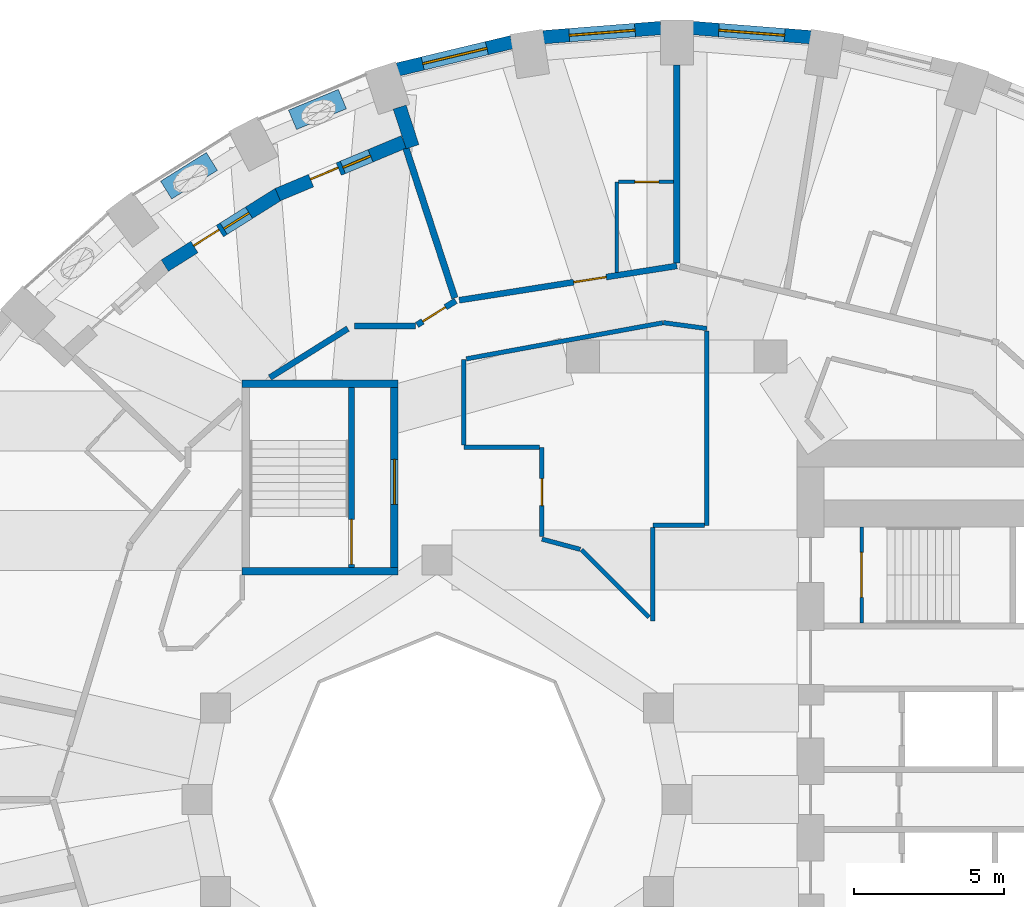
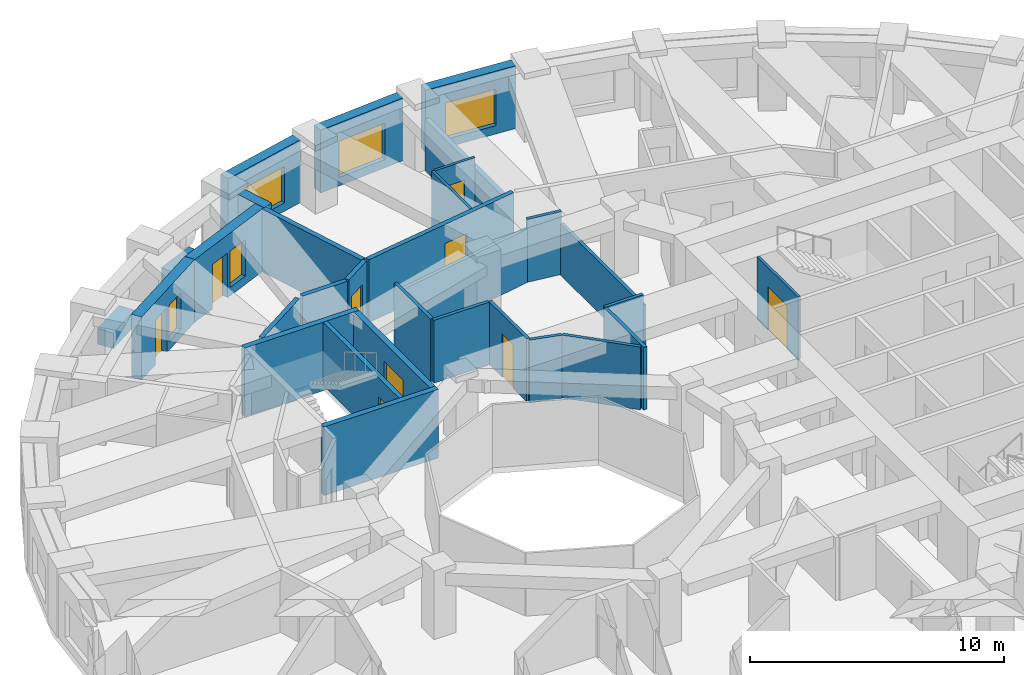
# One storey, part 8 of 13: 31 walls, 9 doors, 5 windows, 14 openings.
"""IFC4 building model written with IfcOpenShell, lengths in metres."""

import ifcopenshell
import ifcopenshell.guid

model = None  # the IFC model being written
_history = None  # IfcOwnerHistory: only IFC2X3 demands one
_inside = {}  # id of a spatial element -> (the spatial element, [elements in it])
_under = {}  # id of a project, library or spatial element -> (it, [spatial elements below it])
_declared = {}  # id of a project -> (the project, [libraries it declares])
_typed = {}  # id of a type object -> (the type object, [elements of that type])
_made_of = {}  # id of a material, layer set ... -> (it, [elements and type objects made of it])


def new_model(schema):
    """Start an empty IFC model of exactly this schema.

    Asked for "IFC4X3", IfcOpenShell would pick the latest addendum, in which some entities
    have other attributes; the version numbers below select the first issue.
    IFC2X3 requires an IfcOwnerHistory on every rooted entity: one is made here for all.
    """
    global model, _history
    if schema == "IFC4X3":
        model = ifcopenshell.file(schema_version=(4, 3, 0, 0))
    else:
        model = ifcopenshell.file(schema=schema)
    _inside.clear()
    _under.clear()
    _declared.clear()
    _typed.clear()
    _made_of.clear()
    _history = None
    if model.schema == "IFC2X3":
        org = make("IfcOrganization", Name="unknown")
        user = make(
            "IfcPersonAndOrganization",
            ThePerson=make("IfcPerson", FamilyName="unknown"),
            TheOrganization=org,
        )
        app = make(
            "IfcApplication",
            ApplicationDeveloper=org,
            Version="unknown",
            ApplicationFullName="unknown",
            ApplicationIdentifier="unknown",
        )
        _history = make(
            "IfcOwnerHistory",
            OwningUser=user,
            OwningApplication=app,
            ChangeAction="ADDED",
            CreationDate=0,
        )
    return model


def make(cls, **values):
    """One entity of the class cls with the attributes given. An attribute that is None is left unset."""
    return model.create_entity(
        cls, **{name: value for name, value in values.items() if value is not None}
    )


def rooted(cls, **values):
    """An entity with a GlobalId (a new one), such as an element, a storey or a relation."""
    return make(cls, GlobalId=ifcopenshell.guid.new(), OwnerHistory=_history, **values)


def si_unit(unit_type, name, prefix=None):
    """IfcSIUnit, for example si_unit("LENGTHUNIT", "METRE", prefix="MILLI")."""
    return make("IfcSIUnit", UnitType=unit_type, Prefix=prefix, Name=name)


def assignment(units):
    """IfcUnitAssignment: the units of a project."""
    return None if units is None else make("IfcUnitAssignment", Units=units)


def point(xyz):
    """IfcCartesianPoint."""
    return None if xyz is None else make("IfcCartesianPoint", Coordinates=xyz)


def direction(xyz):
    """IfcDirection."""
    return None if xyz is None else make("IfcDirection", DirectionRatios=xyz)


def frame(location, z_axis=None, x_axis=None):
    """IfcAxis2Placement3D, a coordinate frame: its origin and axes. An axis left out is left unset."""
    return make(
        "IfcAxis2Placement3D",
        Location=point(location),
        Axis=direction(z_axis),
        RefDirection=direction(x_axis),
    )


def frame_2d(location, x_axis=None):
    """IfcAxis2Placement2D, a coordinate frame in the plane: its origin and x axis."""
    return make(
        "IfcAxis2Placement2D", Location=point(location), RefDirection=direction(x_axis)
    )


def origin():
    """The frame at (0, 0, 0) with its axes left unset."""
    return frame((0.0, 0.0, 0.0))


def place(relative_to, where):
    """IfcLocalPlacement: puts the frame where relative to a parent placement (None: the world)."""
    return make(
        "IfcLocalPlacement", PlacementRelTo=relative_to, RelativePlacement=where
    )


def context(
    kind, dimensions, precision=None, world=None, true_north=None, identifier=None
):
    """IfcGeometricRepresentationContext, for example the 3D "Model" context."""
    return make(
        "IfcGeometricRepresentationContext",
        ContextIdentifier=identifier,
        ContextType=kind,
        CoordinateSpaceDimension=dimensions,
        Precision=precision,
        WorldCoordinateSystem=world,
        TrueNorth=true_north,
    )


def subcontext(parent, identifier, kind, view, scale=None):
    """IfcGeometricRepresentationSubContext, for example "Body" below "Model"."""
    return make(
        "IfcGeometricRepresentationSubContext",
        ContextIdentifier=identifier,
        ContextType=kind,
        ParentContext=parent,
        TargetScale=scale,
        TargetView=view,
    )


def project(units=None, contexts=None):
    """IfcProject with its units and contexts."""
    return rooted(
        "IfcProject",
        Name="project",
        RepresentationContexts=contexts,
        UnitsInContext=assignment(units),
    )


def spatial(cls, under=None, at=None, **own):
    """A site, building, storey or space (cls), placed at a placement, below another one or the project."""
    s = rooted(cls, ObjectPlacement=at, **own)
    if under is not None:
        _under.setdefault(under.id(), (under, []))[1].append(s)
    return s


def profile(cls, at=None, kind="AREA", **sizes):
    """A parametric profile (cls). Its sizes go by their IFC names, for example OverallWidth=200.0."""
    return make(cls, ProfileType=kind, Position=at, **sizes)


def rectangle(**sizes):
    """IfcRectangleProfileDef."""
    return profile("IfcRectangleProfileDef", **sizes)


def extrude(swept, where, along, depth):
    """IfcExtrudedAreaSolid: the profile swept, set in the frame where, extruded along a direction by depth."""
    return make(
        "IfcExtrudedAreaSolid",
        SweptArea=swept,
        Position=where,
        ExtrudedDirection=direction(along),
        Depth=depth,
    )


def shape(context_of_items, identifier, shape_type, items):
    """IfcShapeRepresentation: the items that make up one representation, for example the "Body"."""
    return make(
        "IfcShapeRepresentation",
        ContextOfItems=context_of_items,
        RepresentationIdentifier=identifier,
        RepresentationType=shape_type,
        Items=items,
    )


def material(Name=None, Category=None):
    """IfcMaterial."""
    return make("IfcMaterial", Name=Name, Category=Category)


def layer(
    of_material, thickness, ventilated=None, Name=None, Category=None, Priority=None
):
    """IfcMaterialLayer: one layer of a wall or slab, of a material (None: an air gap)."""
    return make(
        "IfcMaterialLayer",
        Material=of_material,
        LayerThickness=thickness,
        IsVentilated=ventilated,
        Name=Name,
        Category=Category,
        Priority=Priority,
    )


def layer_set(layers, Name=None):
    """IfcMaterialLayerSet."""
    return make("IfcMaterialLayerSet", MaterialLayers=layers, LayerSetName=Name)


def constituent(of_material, Name=None, Category=None, fraction=None):
    """IfcMaterialConstituent: one of the materials an element consists of."""
    return make(
        "IfcMaterialConstituent",
        Name=Name,
        Material=of_material,
        Fraction=fraction,
        Category=Category,
    )


def constituent_set(constituents=None, Name=None):
    """IfcMaterialConstituentSet."""
    return make(
        "IfcMaterialConstituentSet", Name=Name, MaterialConstituents=constituents
    )


def made_of(thing, what):
    """Note that an element or type object is made of a material, layer set ...; save() writes the relation."""
    if what is not None:
        _made_of.setdefault(what.id(), (what, []))[1].append(thing)
    return thing


def type_object(cls, material=None, **own):
    """A type object (cls), such as IfcWallType, which elements share."""
    return made_of(rooted(cls, **own), material)


def element(
    cls,
    number,
    at=None,
    inside=None,
    cuts=None,
    type_object=None,
    material=None,
    context=None,
    identifier="Body",
    shape_type=None,
    held_by="IfcProductDefinitionShape",
    body=None,
    shapes=None,
    **own,
):
    """One element of the class cls, such as IfcWall. Its Tag is "e" and its number.

    at: its placement. inside: the storey or other place that contains it. cuts: it is an
    opening in that element (IfcRelVoidsElement). A single representation is given by context,
    identifier, shape_type and body (its items); several are given by shapes. held_by: the class
    of the entity that holds the representations. save() writes the other relations.
    """
    e = rooted(cls, Tag="e%d" % number, ObjectPlacement=at, **own)
    if body is not None:
        shapes = [shape(context, identifier, shape_type, body)]
    if shapes is not None:
        e.Representation = make(held_by, Representations=shapes)
    if inside is not None:
        _inside.setdefault(inside.id(), (inside, []))[1].append(e)
    if cuts is not None:
        rooted(
            "IfcRelVoidsElement", RelatingBuildingElement=cuts, RelatedOpeningElement=e
        )
    if type_object is not None:
        _typed.setdefault(type_object.id(), (type_object, []))[1].append(e)
    return made_of(e, material)


def fill(opening, filler):
    """IfcRelFillsElement: the door or window that sits in an opening."""
    return rooted(
        "IfcRelFillsElement",
        RelatingOpeningElement=opening,
        RelatedBuildingElement=filler,
    )


def aggregate(whole, parts):
    """IfcRelAggregates: a whole, such as a stair, and the parts it consists of."""
    return rooted("IfcRelAggregates", RelatingObject=whole, RelatedObjects=parts)


def save(model, path):
    """Write the relations noted so far, then the file.

    IfcRelAggregates (storeys below a building ...), IfcRelContainedInSpatialStructure (elements
    in a storey), IfcRelDefinesByType, IfcRelAssociatesMaterial and IfcRelDeclares: one each for
    every whole, place, type object, material and project.
    """
    for whole, parts in _under.values():
        aggregate(whole, parts)
    for where, things in _inside.values():
        rooted(
            "IfcRelContainedInSpatialStructure",
            RelatedElements=things,
            RelatingStructure=where,
        )
    for kind, things in _typed.values():
        rooted("IfcRelDefinesByType", RelatedObjects=things, RelatingType=kind)
    for what, things in _made_of.values():
        rooted("IfcRelAssociatesMaterial", RelatedObjects=things, RelatingMaterial=what)
    for by, libraries in _declared.values():
        rooted("IfcRelDeclares", RelatingContext=by, RelatedDefinitions=libraries)
    model.write(path)


model = new_model("IFC4")

# Units and contexts
model_context = context("Model", 3, precision=1e-05, world=origin(), true_north=direction((0.0, 1.0)))
body_context = subcontext(model_context, "Body", "Model", "MODEL_VIEW")
ifc_project = project(units=[si_unit("LENGTHUNIT", "METRE"), si_unit("AREAUNIT", "SQUARE_METRE"), si_unit("VOLUMEUNIT", "CUBIC_METRE"), si_unit("PLANEANGLEUNIT", "RADIAN"), si_unit("MASSUNIT", "GRAM", prefix="KILO")], contexts=[model_context])

# Site, building, storey
site_placement = place(None, origin())
site = spatial("IfcSite", under=ifc_project, at=site_placement, CompositionType="ELEMENT")
building_placement = place(site_placement, origin())
building = spatial("IfcBuilding", under=site, at=building_placement, Name="Taillehof Tower", CompositionType="ELEMENT")
storey_placement = place(building_placement, frame((0.0, 0.0, 44.800048828125)))
storey = spatial("IfcBuildingStorey", under=building, at=storey_placement, Name="L11", CompositionType="ELEMENT", Elevation=44.800048828125)

# Wall, opening, window
ifc_material_1 = material(Name="Brick masonry", Category="masonry")
ifc_layer_1 = layer(ifc_material_1, 0.449951171875)
ifc_layer_set_1 = layer_set([ifc_layer_1], Name="Brick infill wall 450")
wall_type_1 = type_object("IfcWallType", Name="Brick infill wall 450", PredefinedType="SOLIDWALL", material=ifc_layer_set_1)
wall_1_placement = place(storey_placement, frame((4.457275390625, 25.42578125, 0.0), z_axis=(0.0, 0.0, 1.0), x_axis=(-0.996955972145, 0.077966592873, 0.0)))
wall_1 = element("IfcWall", 1, at=wall_1_placement, inside=storey, type_object=wall_type_1, Name="Brick wall L11 bay 9", PredefinedType="SOLIDWALL", context=body_context, shape_type="SweptSolid", body=[
    extrude(rectangle(XDim=3.939208984375, YDim=0.449951171875, at=frame_2d((1.9697265625, 0.0))), origin(), (0.0, 0.0, 1.0), 3.02001953125),
])
opening_1_placement = place(wall_1_placement, frame((0.86962890625, 0.0, 0.39990234375)))
opening_1 = element("IfcOpeningElement", 2, at=opening_1_placement, cuts=wall_1, Name="Opening W1", PredefinedType="OPENING", context=body_context, shape_type="SweptSolid", body=[
    extrude(rectangle(XDim=2.199951171875, YDim=1.75, at=frame_2d((1.10009765625, 0.875))), frame((0.0, 0.23486328125, 0.0), z_axis=(0.0, -1.0, 0.0), x_axis=(1.0, 0.0, 0.0)), (0.0, 0.0, 1.0), 0.469970703125),
])
ifc_material_2 = material(Name="Aluminium window frame with clear double glazing", Category="aluminium")
window_type_1 = type_object("IfcWindowType", Name="Deep-set window 2200x1750", PartitioningType="SINGLE_PANEL", PredefinedType="WINDOW", material=ifc_material_2)
window_1_placement = place(opening_1_placement, origin())
window_1 = element("IfcWindow", 3, at=window_1_placement, inside=storey, type_object=window_type_1, Name="W1", OverallHeight=1.75, OverallWidth=2.199951171875, PartitioningType="SINGLE_PANEL", PredefinedType="WINDOW", context=body_context, shape_type="SweptSolid", body=[
    extrude(rectangle(XDim=2.199951171875, YDim=1.75, at=frame_2d((1.10009765625, 0.875))), frame((0.0, 0.034912109375, 0.0), z_axis=(0.0, -1.0, 0.0), x_axis=(1.0, 0.0, 0.0)), (0.0, 0.0, 1.0), 0.06005859375),
])
fill(opening_1, window_1)

wall_2_placement = place(storey_placement, frame((-0.530029296875, 25.73291015625, 0.0), z_axis=(0.0, 0.0, 1.0), x_axis=(-0.996955972145, -0.077966592873, 0.0)))
wall_2 = element("IfcWall", 4, at=wall_2_placement, inside=storey, type_object=wall_type_1, Name="Brick wall L11 bay 10", PredefinedType="SOLIDWALL", context=body_context, shape_type="SweptSolid", body=[
    extrude(rectangle(XDim=3.939208984375, YDim=0.449951171875, at=frame_2d((1.9697265625, 0.0))), origin(), (0.0, 0.0, 1.0), 3.02001953125),
])
opening_2_placement = place(wall_2_placement, frame((0.86962890625, 0.0, 0.39990234375)))
opening_2 = element("IfcOpeningElement", 5, at=opening_2_placement, cuts=wall_2, Name="Opening W1", PredefinedType="OPENING", context=body_context, shape_type="SweptSolid", body=[
    extrude(rectangle(XDim=2.199951171875, YDim=1.75, at=frame_2d((1.10009765625, 0.875))), frame((0.0, 0.23486328125, 0.0), z_axis=(0.0, -1.0, 0.0), x_axis=(1.0, 0.0, 0.0)), (0.0, 0.0, 1.0), 0.469970703125),
])
window_2_placement = place(opening_2_placement, origin())
window_2 = element("IfcWindow", 6, at=window_2_placement, inside=storey, type_object=window_type_1, Name="W1", OverallHeight=1.75, OverallWidth=2.199951171875, PartitioningType="SINGLE_PANEL", PredefinedType="WINDOW", context=body_context, shape_type="SweptSolid", body=[
    extrude(rectangle(XDim=2.199951171875, YDim=1.75, at=frame_2d((1.10009765625, 0.875))), frame((0.0, 0.034912109375, 0.0), z_axis=(0.0, -1.0, 0.0), x_axis=(1.0, 0.0, 0.0)), (0.0, 0.0, 1.0), 0.06005859375),
])
fill(opening_2, window_2)

wall_3_placement = place(storey_placement, frame((-5.50439453125, 25.260498046875, 0.0), z_axis=(0.0, 0.0, 1.0), x_axis=(-0.972496561493, -0.232917233979, 0.0)))
wall_3 = element("IfcWall", 7, at=wall_3_placement, inside=storey, type_object=wall_type_1, Name="Brick wall L11 bay 11", PredefinedType="SOLIDWALL", context=body_context, shape_type="SweptSolid", body=[
    extrude(rectangle(XDim=3.910888671875, YDim=0.449951171875, at=frame_2d((1.95556640625, 0.0))), origin(), (0.0, 0.0, 1.0), 3.02001953125),
])
opening_3_placement = place(wall_3_placement, frame((0.855224609375, 0.0, 0.39990234375)))
opening_3 = element("IfcOpeningElement", 8, at=opening_3_placement, cuts=wall_3, Name="Opening W1", PredefinedType="OPENING", context=body_context, shape_type="SweptSolid", body=[
    extrude(rectangle(XDim=2.199951171875, YDim=1.75, at=frame_2d((1.10009765625, 0.875))), frame((0.0, 0.23486328125, 0.0), z_axis=(0.0, -1.0, 0.0), x_axis=(1.0, 0.0, 0.0)), (0.0, 0.0, 1.0), 0.469970703125),
])
window_3_placement = place(opening_3_placement, origin())
window_3 = element("IfcWindow", 9, at=window_3_placement, inside=storey, type_object=window_type_1, Name="W1", OverallHeight=1.75, OverallWidth=2.199951171875, PartitioningType="SINGLE_PANEL", PredefinedType="WINDOW", context=body_context, shape_type="SweptSolid", body=[
    extrude(rectangle(XDim=2.199951171875, YDim=1.75, at=frame_2d((1.10009765625, 0.875))), frame((0.0, 0.034912109375, 0.0), z_axis=(0.0, -1.0, 0.0), x_axis=(1.0, 0.0, 0.0)), (0.0, 0.0, 1.0), 0.06005859375),
])
fill(opening_3, window_3)

# Wall
wall_4_placement = place(storey_placement, frame((-9.24560546875, 23.09521484375, 0.0), z_axis=(0.0, 0.0, 1.0), x_axis=(0.310110311429, -0.950700581017, 0.0)))
element("IfcWall", 10, at=wall_4_placement, inside=storey, type_object=wall_type_1, Name="Brick reveal L11 pocket 3", PredefinedType="SOLIDWALL", context=body_context, shape_type="SweptSolid", body=[
    extrude(rectangle(XDim=1.390380859375, YDim=0.449951171875, at=frame_2d((0.6953125, 0.0))), origin(), (0.0, 0.0, 1.0), 3.02001953125),
])

# Wall, openings, door, window
wall_5_placement = place(storey_placement, frame((-9.10400390625, 21.935791015625, 0.0), z_axis=(0.0, 0.0, 1.0), x_axis=(-0.922645368502, -0.385649483317, 0.0)))
wall_5 = element("IfcWall", 11, at=wall_5_placement, inside=storey, type_object=wall_type_1, Name="Brick wall L11 pocket bay 12", PredefinedType="SOLIDWALL", context=body_context, shape_type="SweptSolid", body=[
    extrude(rectangle(XDim=4.55859375, YDim=0.449951171875, at=frame_2d((2.279296875, 0.0))), origin(), (0.0, 0.0, 1.0), 3.02001953125),
])
opening_4_placement = place(wall_5_placement, frame((1.204345703125, 0.0, 0.39990234375)))
opening_4 = element("IfcOpeningElement", 12, at=opening_4_placement, cuts=wall_5, Name="Opening W5", PredefinedType="OPENING", context=body_context, shape_type="SweptSolid", body=[
    extrude(rectangle(XDim=1.0, YDim=1.75, at=frame_2d((0.5, 0.875))), frame((0.0, 0.23486328125, 0.0), z_axis=(0.0, -1.0, 0.0), x_axis=(1.0, 0.0, 0.0)), (0.0, 0.0, 1.0), 0.469970703125),
])
opening_5_placement = place(wall_5_placement, frame((2.354248046875, 0.0, 0.0)))
opening_5 = element("IfcOpeningElement", 13, at=opening_5_placement, cuts=wall_5, Name="Opening D1194", PredefinedType="OPENING", context=body_context, shape_type="SweptSolid", body=[
    extrude(rectangle(XDim=1.0, YDim=2.14990234375, at=frame_2d((0.5, 1.074951171875))), frame((0.0, 0.23486328125, 0.0), z_axis=(0.0, -1.0, 0.0), x_axis=(1.0, 0.0, 0.0)), (0.0, 0.0, 1.0), 0.469970703125),
])
ifc_material_3 = material(Name="Aluminium door frame with clear double glazing", Category="aluminium")
door_type_1 = type_object("IfcDoorType", Name="Balcony door 1000x2150", OperationType="SINGLE_SWING_RIGHT", PredefinedType="DOOR", material=ifc_material_3)
door_1_placement = place(opening_5_placement, frame((1.0, 0.0, 0.0), z_axis=(0.0, 0.0, 1.0), x_axis=(-1.0, 0.0, 0.0)))
door_1 = element("IfcDoor", 14, at=door_1_placement, inside=storey, type_object=door_type_1, Name="Balcony door L11 bay 12", OperationType="SINGLE_SWING_RIGHT", OverallHeight=2.14990234375, OverallWidth=1.0, PredefinedType="DOOR", context=body_context, shape_type="SweptSolid", body=[
    extrude(rectangle(XDim=1.0, YDim=2.14990234375, at=frame_2d((0.5, 1.074951171875))), frame((0.0, 0.0751953125, 0.0), z_axis=(0.0, -1.0, 0.0), x_axis=(1.0, 0.0, 0.0)), (0.0, 0.0, 1.0), 0.050048828125),
])
fill(opening_5, door_1)
ifc_material_4 = material(Name="Aluminium window frame with clear double glazing", Category="aluminium")
window_type_2 = type_object("IfcWindowType", Name="Fixed window 1000x1750", PartitioningType="SINGLE_PANEL", PredefinedType="WINDOW", material=ifc_material_4)
window_4_placement = place(opening_4_placement, origin())
window_4 = element("IfcWindow", 15, at=window_4_placement, inside=storey, type_object=window_type_2, Name="W5", OverallHeight=1.75, OverallWidth=1.0, PartitioningType="SINGLE_PANEL", PredefinedType="WINDOW", context=body_context, shape_type="SweptSolid", body=[
    extrude(rectangle(XDim=1.0, YDim=1.75, at=frame_2d((0.5, 0.875))), frame((0.0, 0.034912109375, 0.0), z_axis=(0.0, -1.0, 0.0), x_axis=(1.0, 0.0, 0.0)), (0.0, 0.0, 1.0), 0.06005859375),
])
fill(opening_4, window_4)

wall_6_placement = place(storey_placement, frame((-13.277099609375, 20.194580078125, 0.0), z_axis=(0.0, 0.0, 1.0), x_axis=(-0.846976005863, -0.531631117874, 0.0)))
wall_6 = element("IfcWall", 16, at=wall_6_placement, inside=storey, type_object=wall_type_1, Name="Brick wall L11 pocket bay 13", PredefinedType="SOLIDWALL", context=body_context, shape_type="SweptSolid", body=[
    extrude(rectangle(XDim=4.488037109375, YDim=0.449951171875, at=frame_2d((2.244140625, 0.0))), origin(), (0.0, 0.0, 1.0), 3.02001953125),
])
opening_6_placement = place(wall_6_placement, frame((1.1689453125, 0.0, 0.39990234375)))
opening_6 = element("IfcOpeningElement", 17, at=opening_6_placement, cuts=wall_6, Name="Opening W5", PredefinedType="OPENING", context=body_context, shape_type="SweptSolid", body=[
    extrude(rectangle(XDim=1.0, YDim=1.75, at=frame_2d((0.5, 0.875))), frame((0.0, 0.23486328125, 0.0), z_axis=(0.0, -1.0, 0.0), x_axis=(1.0, 0.0, 0.0)), (0.0, 0.0, 1.0), 0.469970703125),
])
opening_7_placement = place(wall_6_placement, frame((2.319091796875, 0.0, 0.0)))
opening_7 = element("IfcOpeningElement", 18, at=opening_7_placement, cuts=wall_6, Name="Opening D1195", PredefinedType="OPENING", context=body_context, shape_type="SweptSolid", body=[
    extrude(rectangle(XDim=1.0, YDim=2.14990234375, at=frame_2d((0.5, 1.074951171875))), frame((0.0, 0.23486328125, 0.0), z_axis=(0.0, -1.0, 0.0), x_axis=(1.0, 0.0, 0.0)), (0.0, 0.0, 1.0), 0.469970703125),
])
door_2_placement = place(opening_7_placement, frame((1.0, 0.0, 0.0), z_axis=(0.0, 0.0, 1.0), x_axis=(-1.0, 0.0, 0.0)))
door_2 = element("IfcDoor", 19, at=door_2_placement, inside=storey, type_object=door_type_1, Name="Balcony door L11 bay 13", OperationType="SINGLE_SWING_LEFT", OverallHeight=2.14990234375, OverallWidth=1.0, PredefinedType="DOOR", context=body_context, shape_type="SweptSolid", body=[
    extrude(rectangle(XDim=1.0, YDim=2.14990234375, at=frame_2d((0.5, 1.074951171875))), frame((0.0, 0.0751953125, 0.0), z_axis=(0.0, -1.0, 0.0), x_axis=(1.0, 0.0, 0.0)), (0.0, 0.0, 1.0), 0.050048828125),
])
fill(opening_7, door_2)
window_5_placement = place(opening_6_placement, origin())
window_5 = element("IfcWindow", 20, at=window_5_placement, inside=storey, type_object=window_type_2, Name="W5", OverallHeight=1.75, OverallWidth=1.0, PartitioningType="SINGLE_PANEL", PredefinedType="WINDOW", context=body_context, shape_type="SweptSolid", body=[
    extrude(rectangle(XDim=1.0, YDim=1.75, at=frame_2d((0.5, 0.875))), frame((0.0, 0.034912109375, 0.0), z_axis=(0.0, -1.0, 0.0), x_axis=(1.0, 0.0, 0.0)), (0.0, 0.0, 1.0), 0.06005859375),
])
fill(opening_6, window_5)

# Walls
ifc_material_5 = material(Name="Gypsum board on steel studs, two layers each side", Category="steel")
ifc_layer_2 = layer(ifc_material_5, 0.199951171875)
ifc_layer_set_2 = layer_set([ifc_layer_2], Name="Compartment wall corridor 200")
wall_type_2 = type_object("IfcWallType", Name="Compartment wall corridor 200", PredefinedType="PARTITIONING", material=ifc_layer_set_2)
wall_7_placement = place(storey_placement, frame((-13.57080078125, 14.077392578125, 0.0), z_axis=(0.0, 0.0, 1.0), x_axis=(0.846954991261, 0.53166459613, 0.0)))
element("IfcWall", 21, at=wall_7_placement, inside=storey, type_object=wall_type_2, Name="Compartment wall", PredefinedType="PARTITIONING", context=body_context, shape_type="SweptSolid", body=[
    extrude(rectangle(XDim=3.06787109375, YDim=0.199951171875, at=frame_2d((1.533935546875, 0.0))), origin(), (0.0, 0.0, 1.0), 3.02001953125),
])
wall_8_placement = place(storey_placement, frame((-10.75341796875, 15.800048828125, 0.0), z_axis=(0.0, 0.0, 1.0), x_axis=(1.0, 0.0, 0.0)))
element("IfcWall", 22, at=wall_8_placement, inside=storey, type_object=wall_type_2, Name="Compartment wall", PredefinedType="PARTITIONING", context=body_context, shape_type="SweptSolid", body=[
    extrude(rectangle(XDim=2.03857421875, YDim=0.199951171875, at=frame_2d((1.019287109375, 0.0))), origin(), (0.0, 0.0, 1.0), 3.02001953125),
])

# Wall, opening, door
wall_9_placement = place(storey_placement, frame((-8.664306640625, 15.83154296875, 0.0), z_axis=(0.0, 0.0, 1.0), x_axis=(0.848304931689, 0.529508019648, 0.0)))
wall_9 = element("IfcWall", 23, at=wall_9_placement, inside=storey, type_object=wall_type_2, Name="Compartment wall", PredefinedType="PARTITIONING", context=body_context, shape_type="SweptSolid", body=[
    extrude(rectangle(XDim=1.520263671875, YDim=0.199951171875, at=frame_2d((0.76025390625, 0.0))), origin(), (0.0, 0.0, 1.0), 3.02001953125),
])
opening_8_placement = place(wall_9_placement, frame((0.219970703125, 0.0, 0.0)))
opening_8 = element("IfcOpeningElement", 24, at=opening_8_placement, cuts=wall_9, Name="Opening D1147", PredefinedType="OPENING", context=body_context, shape_type="SweptSolid", body=[
    extrude(rectangle(XDim=0.89990234375, YDim=2.10009765625, at=frame_2d((0.449951171875, 1.050048828125))), frame((0.0, 0.10986328125, 0.0), z_axis=(0.0, -1.0, 0.0), x_axis=(1.0, 0.0, 0.0)), (0.0, 0.0, 1.0), 0.219970703125),
])
ifc_material_6 = material(Name="Timber door leaf in steel frame", Category="steel")
door_type_2 = type_object("IfcDoorType", Name="Service room door EI 30 900 x 2100", OperationType="SINGLE_SWING_LEFT", PredefinedType="DOOR", material=ifc_material_6)
door_3_placement = place(opening_8_placement, origin())
door_3 = element("IfcDoor", 25, at=door_3_placement, inside=storey, type_object=door_type_2, Name="D1147", OperationType="SINGLE_SWING_LEFT", OverallHeight=2.10009765625, OverallWidth=0.89990234375, PredefinedType="DOOR", context=body_context, shape_type="SweptSolid", body=[
    extrude(rectangle(XDim=0.89990234375, YDim=2.10009765625, at=frame_2d((0.449951171875, 1.050048828125))), frame((0.0, 0.02490234375, 0.0), z_axis=(0.0, -1.0, 0.0), x_axis=(1.0, 0.0, 0.0)), (0.0, 0.0, 1.0), 0.050048828125),
])
fill(opening_8, door_3)

wall_10_placement = place(storey_placement, frame((-7.256103515625, 16.655517578125, 0.0), z_axis=(0.0, 0.0, 1.0), x_axis=(0.987787475409, 0.15580726371, 0.0)))
wall_10 = element("IfcWall", 26, at=wall_10_placement, inside=storey, type_object=wall_type_2, Name="Compartment wall", PredefinedType="PARTITIONING", context=body_context, shape_type="SweptSolid", body=[
    extrude(rectangle(XDim=7.345703125, YDim=0.199951171875, at=frame_2d((3.6728515625, 0.0))), origin(), (0.0, 0.0, 1.0), 3.02001953125),
])
opening_9_placement = place(wall_10_placement, frame((3.859619140625, 0.0, 0.0)))
opening_9 = element("IfcOpeningElement", 27, at=opening_9_placement, cuts=wall_10, Name="Opening D1145", PredefinedType="OPENING", context=body_context, shape_type="SweptSolid", body=[
    extrude(rectangle(XDim=1.10009765625, YDim=2.10009765625, at=frame_2d((0.550048828125, 1.050048828125))), frame((0.0, 0.10986328125, 0.0), z_axis=(0.0, -1.0, 0.0), x_axis=(1.0, 0.0, 0.0)), (0.0, 0.0, 1.0), 0.219970703125),
])
ifc_material_7 = material(Name="Timber door leaf in steel frame", Category="steel")
door_type_3 = type_object("IfcDoorType", Name="Suite entrance door EI 30 1100 x 2100", OperationType="SINGLE_SWING_LEFT", PredefinedType="DOOR", material=ifc_material_7)
door_4_placement = place(opening_9_placement, origin())
door_4 = element("IfcDoor", 28, at=door_4_placement, inside=storey, type_object=door_type_3, Name="D1145", OperationType="SINGLE_SWING_RIGHT", OverallHeight=2.10009765625, OverallWidth=1.10009765625, PredefinedType="DOOR", context=body_context, shape_type="SweptSolid", body=[
    extrude(rectangle(XDim=1.10009765625, YDim=2.10009765625, at=frame_2d((0.550048828125, 1.050048828125))), frame((0.0, 0.02490234375, 0.0), z_axis=(0.0, -1.0, 0.0), x_axis=(1.0, 0.0, 0.0)), (0.0, 0.0, 1.0), 0.050048828125),
])
fill(opening_9, door_4)

# Walls
ifc_material_8 = material(Name="Gypsum board on double steel studs with mineral wool", Category="steel")
ifc_layer_3 = layer(ifc_material_8, 0.219970703125)
ifc_layer_set_3 = layer_set([ifc_layer_3], Name="Compartment wall guest room 220")
wall_type_3 = type_object("IfcWallType", Name="Compartment wall guest room 220", PredefinedType="PARTITIONING", material=ifc_layer_set_3)
wall_11_placement = place(storey_placement, frame((0.0, 24.5, 0.0), z_axis=(0.0, 0.0, 1.0), x_axis=(0.0, -1.0, 0.0)))
element("IfcWall", 29, at=wall_11_placement, inside=storey, type_object=wall_type_3, Name="Compartment wall", PredefinedType="PARTITIONING", context=body_context, shape_type="SweptSolid", body=[
    extrude(rectangle(XDim=6.599853515625, YDim=0.219970703125, at=frame_2d((3.2998046875, 0.0))), origin(), (0.0, 0.0, 1.0), 2.469970703125),
])
wall_12_placement = place(storey_placement, frame((-9.033935546875, 21.72119140625, 0.0), z_axis=(0.0, 0.0, 1.0), x_axis=(0.310304845104, -0.950637103791, 0.0)))
element("IfcWall", 30, at=wall_12_placement, inside=storey, type_object=wall_type_3, Name="Compartment wall", PredefinedType="PARTITIONING", context=body_context, shape_type="SweptSolid", body=[
    extrude(rectangle(XDim=5.24853515625, YDim=0.219970703125, at=frame_2d((2.624267578125, 0.0))), origin(), (0.0, 0.0, 1.0), 3.02001953125),
])
ifc_material_9 = material(Name="Gypsum board on steel studs, two layers each side", Category="steel")
ifc_layer_4 = layer(ifc_material_9, 0.14990234375)
ifc_layer_set_4 = layer_set([ifc_layer_4], Name="Compartment wall service room 150")
wall_type_4 = type_object("IfcWallType", Name="Compartment wall service room 150", PredefinedType="PARTITIONING", material=ifc_layer_set_4)
wall_13_placement = place(storey_placement, frame((-0.45068359375, 15.90673828125, 0.0), z_axis=(0.0, 0.0, 1.0), x_axis=(0.99094751199, -0.134249873301, 0.0)))
element("IfcWall", 31, at=wall_13_placement, inside=storey, type_object=wall_type_4, Name="Compartment wall", PredefinedType="PARTITIONING", context=body_context, shape_type="SweptSolid", body=[
    extrude(rectangle(XDim=1.4638671875, YDim=0.14990234375, at=frame_2d((0.73193359375, 0.0))), origin(), (0.0, 0.0, 1.0), 3.02001953125),
])
wall_14_placement = place(storey_placement, frame((1.0, 15.630126953125, 0.0), z_axis=(0.0, 0.0, 1.0), x_axis=(0.0, -1.0, 0.0)))
element("IfcWall", 32, at=wall_14_placement, inside=storey, type_object=wall_type_4, Name="Compartment wall", PredefinedType="PARTITIONING", context=body_context, shape_type="SweptSolid", body=[
    extrude(rectangle(XDim=6.480224609375, YDim=0.14990234375, at=frame_2d((3.240234375, 0.0))), origin(), (0.0, 0.0, 1.0), 2.469970703125),
])
wall_15_placement = place(storey_placement, frame((0.919921875, 9.14990234375, 0.0), z_axis=(0.0, 0.0, 1.0), x_axis=(-1.0, 0.0, 0.0)))
element("IfcWall", 33, at=wall_15_placement, inside=storey, type_object=wall_type_4, Name="Compartment wall", PredefinedType="PARTITIONING", context=body_context, shape_type="SweptSolid", body=[
    extrude(rectangle(XDim=1.719970703125, YDim=0.14990234375, at=frame_2d((0.85986328125, 0.0))), origin(), (0.0, 0.0, 1.0), 3.02001953125),
])
wall_16_placement = place(storey_placement, frame((-0.800048828125, 9.06982421875, 0.0), z_axis=(0.0, 0.0, 1.0), x_axis=(0.0, -1.0, 0.0)))
element("IfcWall", 34, at=wall_16_placement, inside=storey, type_object=wall_type_4, Name="Compartment wall", PredefinedType="PARTITIONING", context=body_context, shape_type="SweptSolid", body=[
    extrude(rectangle(XDim=3.11767578125, YDim=0.14990234375, at=frame_2d((1.558837890625, 0.0))), origin(), (0.0, 0.0, 1.0), 3.02001953125),
])
wall_17_placement = place(storey_placement, frame((-0.927490234375, 6.07958984375, 0.0), z_axis=(0.0, 0.0, 1.0), x_axis=(-0.707106781187, 0.707106781187, 0.0)))
element("IfcWall", 35, at=wall_17_placement, inside=storey, type_object=wall_type_4, Name="Compartment wall", PredefinedType="PARTITIONING", context=body_context, shape_type="SweptSolid", body=[
    extrude(rectangle(XDim=3.194091796875, YDim=0.14990234375, at=frame_2d((1.59716796875, 0.0))), origin(), (0.0, 0.0, 1.0), 3.02001953125),
])
wall_18_placement = place(storey_placement, frame((-3.224609375, 8.348388671875, 0.0), z_axis=(0.0, 0.0, 1.0), x_axis=(-0.965915035697, 0.258859312783, 0.0)))
element("IfcWall", 36, at=wall_18_placement, inside=storey, type_object=wall_type_4, Name="Compartment wall", PredefinedType="PARTITIONING", context=body_context, shape_type="SweptSolid", body=[
    extrude(rectangle(XDim=1.3203125, YDim=0.14990234375, at=frame_2d((0.66015625, 0.0))), origin(), (0.0, 0.0, 1.0), 3.02001953125),
])

# Wall, opening, door
wall_19_placement = place(storey_placement, frame((-4.5, 8.770263671875, 0.0), z_axis=(0.0, 0.0, 1.0), x_axis=(0.0, 1.0, 0.0)))
wall_19 = element("IfcWall", 37, at=wall_19_placement, inside=storey, type_object=wall_type_4, Name="Compartment wall", PredefinedType="PARTITIONING", context=body_context, shape_type="SweptSolid", body=[
    extrude(rectangle(XDim=2.979736328125, YDim=0.14990234375, at=frame_2d((1.48974609375, 0.0))), origin(), (0.0, 0.0, 1.0), 3.02001953125),
])
opening_10_placement = place(wall_19_placement, frame((1.039794921875, 0.0, 0.0)))
opening_10 = element("IfcOpeningElement", 38, at=opening_10_placement, cuts=wall_19, Name="Opening D1170", PredefinedType="OPENING", context=body_context, shape_type="SweptSolid", body=[
    extrude(rectangle(XDim=0.89990234375, YDim=2.10009765625, at=frame_2d((0.449951171875, 1.050048828125))), frame((0.0, 0.0849609375, 0.0), z_axis=(0.0, -1.0, 0.0), x_axis=(1.0, 0.0, 0.0)), (0.0, 0.0, 1.0), 0.169921875),
])
door_5_placement = place(opening_10_placement, origin())
door_5 = element("IfcDoor", 39, at=door_5_placement, inside=storey, type_object=door_type_2, Name="D1170", OperationType="SINGLE_SWING_RIGHT", OverallHeight=2.10009765625, OverallWidth=0.89990234375, PredefinedType="DOOR", context=body_context, shape_type="SweptSolid", body=[
    extrude(rectangle(XDim=0.89990234375, YDim=2.10009765625, at=frame_2d((0.449951171875, 1.050048828125))), frame((0.0, 0.02490234375, 0.0), z_axis=(0.0, -1.0, 0.0), x_axis=(1.0, 0.0, 0.0)), (0.0, 0.0, 1.0), 0.050048828125),
])
fill(opening_10, door_5)

# Walls
wall_20_placement = place(storey_placement, frame((-4.580078125, 11.75, 0.0), z_axis=(0.0, 0.0, 1.0), x_axis=(-1.0, 0.0, 0.0)))
element("IfcWall", 40, at=wall_20_placement, inside=storey, type_object=wall_type_4, Name="Compartment wall", PredefinedType="PARTITIONING", context=body_context, shape_type="SweptSolid", body=[
    extrude(rectangle(XDim=2.52001953125, YDim=0.14990234375, at=frame_2d((1.260009765625, 0.0))), origin(), (0.0, 0.0, 1.0), 3.02001953125),
])
wall_21_placement = place(storey_placement, frame((-7.10009765625, 11.830078125, 0.0), z_axis=(0.0, 0.0, 1.0), x_axis=(0.0, 1.0, 0.0)))
element("IfcWall", 41, at=wall_21_placement, inside=storey, type_object=wall_type_4, Name="Compartment wall", PredefinedType="PARTITIONING", context=body_context, shape_type="SweptSolid", body=[
    extrude(rectangle(XDim=2.85595703125, YDim=0.14990234375, at=frame_2d((1.427978515625, 0.0))), origin(), (0.0, 0.0, 1.0), 3.02001953125),
])
wall_22_placement = place(storey_placement, frame((-7.02099609375, 14.70068359375, 0.0), z_axis=(0.0, 0.0, 1.0), x_axis=(0.983567630435, 0.180540068573, 0.0)))
element("IfcWall", 42, at=wall_22_placement, inside=storey, type_object=wall_type_4, Name="Compartment wall", PredefinedType="PARTITIONING", context=body_context, shape_type="SweptSolid", body=[
    extrude(rectangle(XDim=6.659912109375, YDim=0.14990234375, at=frame_2d((3.330078125, 0.0))), origin(), (0.0, 0.0, 1.0), 2.570068359375),
])
ifc_material_10 = material(Name="Gypsum board on steel studs, moisture resistant", Category="steel")
ifc_layer_5 = layer(ifc_material_10, 0.1201171875)
ifc_layer_set_5 = layer_set([ifc_layer_5], Name="En-suite wall 120")
wall_type_5 = type_object("IfcWallType", Name="En-suite wall 120", PredefinedType="PARTITIONING", material=ifc_layer_set_5)
wall_23_placement = place(storey_placement, frame((-2.0, 17.585693359375, 0.0), z_axis=(0.0, 0.0, 1.0), x_axis=(0.0, 1.0, 0.0)))
element("IfcWall", 43, at=wall_23_placement, inside=storey, type_object=wall_type_5, Name="En-suite wall", PredefinedType="PARTITIONING", context=body_context, shape_type="SweptSolid", body=[
    extrude(rectangle(XDim=3.014404296875, YDim=0.1201171875, at=frame_2d((1.50732421875, 0.0))), origin(), (0.0, 0.0, 1.0), 3.02001953125),
])

# Wall, opening, door
wall_24_placement = place(storey_placement, frame((-1.93994140625, 20.60009765625, 0.0), z_axis=(0.0, 0.0, 1.0), x_axis=(1.0, 0.0, 0.0)))
wall_24 = element("IfcWall", 44, at=wall_24_placement, inside=storey, type_object=wall_type_5, Name="En-suite wall", PredefinedType="PARTITIONING", context=body_context, shape_type="SweptSolid", body=[
    extrude(rectangle(XDim=1.829833984375, YDim=0.1201171875, at=frame_2d((0.9150390625, 0.0))), origin(), (0.0, 0.0, 1.0), 3.02001953125),
])
opening_11_placement = place(wall_24_placement, frame((0.5400390625, 0.0, 0.0)))
opening_11 = element("IfcOpeningElement", 45, at=opening_11_placement, cuts=wall_24, Name="Opening D1146", PredefinedType="OPENING", context=body_context, shape_type="SweptSolid", body=[
    extrude(rectangle(XDim=0.800048828125, YDim=2.10009765625, at=frame_2d((0.39990234375, 1.050048828125))), frame((0.0, 0.070068359375, 0.0), z_axis=(0.0, -1.0, 0.0), x_axis=(1.0, 0.0, 0.0)), (0.0, 0.0, 1.0), 0.14013671875),
])
ifc_material_11 = material(Name="Timber door leaf in steel frame", Category="steel")
door_type_4 = type_object("IfcDoorType", Name="En-suite door 800 x 2100", OperationType="SINGLE_SWING_LEFT", PredefinedType="DOOR", material=ifc_material_11)
door_6_placement = place(opening_11_placement, origin())
door_6 = element("IfcDoor", 46, at=door_6_placement, inside=storey, type_object=door_type_4, Name="D1146", OperationType="SINGLE_SWING_RIGHT", OverallHeight=2.10009765625, OverallWidth=0.800048828125, PredefinedType="DOOR", context=body_context, shape_type="SweptSolid", body=[
    extrude(rectangle(XDim=0.800048828125, YDim=2.10009765625, at=frame_2d((0.39990234375, 1.050048828125))), frame((0.0, 0.02490234375, 0.0), z_axis=(0.0, -1.0, 0.0), x_axis=(1.0, 0.0, 0.0)), (0.0, 0.0, 1.0), 0.050048828125),
])
fill(opening_11, door_6)

# Walls
ifc_material_12 = material(Name="Concrete C30/37 precast", Category="concrete")
ifc_constituent_1 = constituent(ifc_material_12, Name="Structure", Category="concrete")
ifc_material_13 = material(Name="Insulated lining")
ifc_constituent_2 = constituent(ifc_material_13, Name="Lining")
ifc_constituent_set = constituent_set(constituents=[ifc_constituent_1, ifc_constituent_2], Name="Planter trough 700x750")
wall_type_6 = type_object("IfcWallType", Name="Planter trough 700x750", PredefinedType="USERDEFINED", material=ifc_constituent_set)
wall_25_placement = place(storey_placement, frame((-11.1552734375, 23.3623046875, 0.0), z_axis=(0.0, 0.0, 1.0), x_axis=(-0.923000660042, -0.384798364811, 0.0)))
element("IfcWall", 47, at=wall_25_placement, inside=storey, type_object=wall_type_6, Name="Planter L11 bay 12", ObjectType="PLANTER", PredefinedType="USERDEFINED", context=body_context, shape_type="SweptSolid", body=[
    extrude(rectangle(XDim=1.800048828125, YDim=0.699951171875, at=frame_2d((0.89990234375, 0.0))), origin(), (0.0, 0.0, 1.0), 0.75),
])
wall_26_placement = place(storey_placement, frame((-15.506103515625, 21.282958984375, 0.0), z_axis=(0.0, 0.0, 1.0), x_axis=(-0.847609446823, -0.530620604252, 0.0)))
element("IfcWall", 48, at=wall_26_placement, inside=storey, type_object=wall_type_6, Name="Planter L11 bay 13", ObjectType="PLANTER", PredefinedType="USERDEFINED", context=body_context, shape_type="SweptSolid", body=[
    extrude(rectangle(XDim=1.7998046875, YDim=0.699951171875, at=frame_2d((0.89990234375, 0.0))), origin(), (0.0, 0.0, 1.0), 0.75),
])

# Wall, opening, door
ifc_material_14 = material(Name="Concrete C50/60", Category="concrete")
ifc_layer_6 = layer(ifc_material_14, 0.199951171875)
ifc_layer_set_6 = layer_set([ifc_layer_6], Name="Shaft wall C50/60 200")
wall_type_7 = type_object("IfcWallType", Name="Shaft wall C50/60 200", PredefinedType="SHEAR", material=ifc_layer_set_6)
wall_27_placement = place(storey_placement, frame((-10.85009765625, 7.75, 0.0), z_axis=(0.0, 0.0, 1.0), x_axis=(0.0, 1.0, 0.0)))
wall_27 = element("IfcWall", 49, at=wall_27_placement, inside=storey, type_object=wall_type_7, Name="Shaft wall SW", PredefinedType="SHEAR", context=body_context, shape_type="SweptSolid", body=[
    extrude(rectangle(XDim=6.0, YDim=0.199951171875, at=frame_2d((3.0, 0.0))), origin(), (0.0, 0.0, 1.0), 3.02001953125),
])
opening_12_placement = place(wall_27_placement, frame((0.10009765625, 0.0, 0.0)))
opening_12 = element("IfcOpeningElement", 50, at=opening_12_placement, cuts=wall_27, Name="Opening D1112", PredefinedType="OPENING", context=body_context, shape_type="SweptSolid", body=[
    extrude(rectangle(XDim=1.5, YDim=2.10009765625, at=frame_2d((0.75, 1.050048828125))), frame((0.0, 0.10986328125, 0.0), z_axis=(0.0, -1.0, 0.0), x_axis=(1.0, 0.0, 0.0)), (0.0, 0.0, 1.0), 0.219970703125),
])
ifc_material_15 = material(Name="Steel-faced fire door", Category="steel")
door_type_5 = type_object("IfcDoorType", Name="Stair door 1500x2100", OperationType="DOUBLE_DOOR_SINGLE_SWING", PredefinedType="DOOR", material=ifc_material_15)
door_7_placement = place(opening_12_placement, origin())
door_7 = element("IfcDoor", 51, at=door_7_placement, inside=storey, type_object=door_type_5, Name="Stair lobby door S3", OperationType="DOUBLE_DOOR_SINGLE_SWING", OverallHeight=2.10009765625, OverallWidth=1.5, PredefinedType="DOOR", context=body_context, shape_type="SweptSolid", body=[
    extrude(rectangle(XDim=1.5, YDim=2.10009765625, at=frame_2d((0.75, 1.050048828125))), frame((0.0, 0.02490234375, 0.0), z_axis=(0.0, -1.0, 0.0), x_axis=(1.0, 0.0, 0.0)), (0.0, 0.0, 1.0), 0.050048828125),
])
fill(opening_12, door_7)

ifc_material_16 = material(Name="Concrete C50/60", Category="concrete")
ifc_layer_7 = layer(ifc_material_16, 0.1201171875)
ifc_layer_set_7 = layer_set([ifc_layer_7], Name="Stair lobby wall C50/60 120")
wall_type_8 = type_object("IfcWallType", Name="Stair lobby wall C50/60 120", PredefinedType="SHEAR", material=ifc_layer_set_7)
wall_28_placement = place(storey_placement, frame((6.159912109375, 5.89990234375, 0.0), z_axis=(0.0, 0.0, 1.0), x_axis=(0.0, 1.0, 0.0)))
wall_28 = element("IfcWall", 52, at=wall_28_placement, inside=storey, type_object=wall_type_8, Name="Compartment wall SW", PredefinedType="SHEAR", context=body_context, shape_type="SweptSolid", body=[
    extrude(rectangle(XDim=3.2001953125, YDim=0.1201171875, at=frame_2d((1.60009765625, 0.0))), origin(), (0.0, 0.0, 1.0), 3.02001953125),
])
opening_13_placement = place(wall_28_placement, frame((0.85009765625, 0.0, 0.0)))
opening_13 = element("IfcOpeningElement", 53, at=opening_13_placement, cuts=wall_28, Name="Opening D1110", PredefinedType="OPENING", context=body_context, shape_type="SweptSolid", body=[
    extrude(rectangle(XDim=1.5, YDim=2.10009765625, at=frame_2d((0.75, 1.050048828125))), frame((0.0, 0.070068359375, 0.0), z_axis=(0.0, -1.0, 0.0), x_axis=(1.0, 0.0, 0.0)), (0.0, 0.0, 1.0), 0.14013671875),
])
door_8_placement = place(opening_13_placement, origin())
door_8 = element("IfcDoor", 54, at=door_8_placement, inside=storey, type_object=door_type_5, Name="Stair lobby door S1", OperationType="DOUBLE_DOOR_SINGLE_SWING", OverallHeight=2.10009765625, OverallWidth=1.5, PredefinedType="DOOR", context=body_context, shape_type="SweptSolid", body=[
    extrude(rectangle(XDim=1.5, YDim=2.10009765625, at=frame_2d((0.75, 1.050048828125))), frame((0.0, 0.02490234375, 0.0), z_axis=(0.0, -1.0, 0.0), x_axis=(1.0, 0.0, 0.0)), (0.0, 0.0, 1.0), 0.050048828125),
])
fill(opening_13, door_8)

ifc_material_17 = material(Name="Concrete C50/60", Category="concrete")
ifc_layer_8 = layer(ifc_material_17, 0.25)
ifc_layer_set_8 = layer_set([ifc_layer_8], Name="Stair wall C50/60 250")
wall_type_9 = type_object("IfcWallType", Name="Stair wall C50/60 250", PredefinedType="SHEAR", material=ifc_layer_set_8)
wall_29_placement = place(storey_placement, frame((-9.425048828125, 7.75, -0.280029296875), z_axis=(0.0, 0.0, 1.0), x_axis=(0.0, 1.0, 0.0)))
wall_29 = element("IfcWall", 55, at=wall_29_placement, inside=storey, type_object=wall_type_9, Name="Stair wall SC", PredefinedType="SHEAR", context=body_context, shape_type="SweptSolid", body=[
    extrude(rectangle(XDim=6.0, YDim=0.25, at=frame_2d((3.0, 0.0))), origin(), (0.0, 0.0, 1.0), 3.300048828125),
])
opening_14_placement = place(wall_29_placement, frame((2.10009765625, 0.0, 0.280029296875)))
opening_14 = element("IfcOpeningElement", 56, at=opening_14_placement, cuts=wall_29, Name="Opening D1119", PredefinedType="OPENING", context=body_context, shape_type="SweptSolid", body=[
    extrude(rectangle(XDim=1.5, YDim=2.10009765625, at=frame_2d((0.75, 1.050048828125))), frame((0.0, 0.135009765625, 0.0), z_axis=(0.0, -1.0, 0.0), x_axis=(1.0, 0.0, 0.0)), (0.0, 0.0, 1.0), 0.27001953125),
])
door_9_placement = place(opening_14_placement, origin())
door_9 = element("IfcDoor", 57, at=door_9_placement, inside=storey, type_object=door_type_5, Name="Stair door S3", OperationType="DOUBLE_DOOR_SINGLE_SWING", OverallHeight=2.10009765625, OverallWidth=1.5, PredefinedType="DOOR", context=body_context, shape_type="SweptSolid", body=[
    extrude(rectangle(XDim=1.5, YDim=2.10009765625, at=frame_2d((0.75, 1.050048828125))), frame((0.0, 0.02490234375, 0.0), z_axis=(0.0, -1.0, 0.0), x_axis=(1.0, 0.0, 0.0)), (0.0, 0.0, 1.0), 0.050048828125),
])
fill(opening_14, door_9)

# Walls
for number, where, z_axis, x_axis, name in (
    (58, (-14.5, 13.875, -0.280029296875), (0.0, 0.0, 1.0), (1.0, 0.0, 0.0), "Stair wall SC"),
    (59, (-14.5, 7.625, -0.280029296875), (0.0, 0.0, 1.0), (1.0, 0.0, 0.0), "Stair wall SC"),
):
    element("IfcWall", number, at=place(storey_placement, frame(where, z_axis=z_axis, x_axis=x_axis)), inside=storey, type_object=wall_type_9, Name=name, PredefinedType="SHEAR", context=body_context, shape_type="SweptSolid", body=[
        extrude(rectangle(XDim=5.199951171875, YDim=0.25, at=frame_2d((2.60009765625, 0.0))), origin(), (0.0, 0.0, 1.0), 3.300048828125),
    ])

save(model, "model.ifc")
